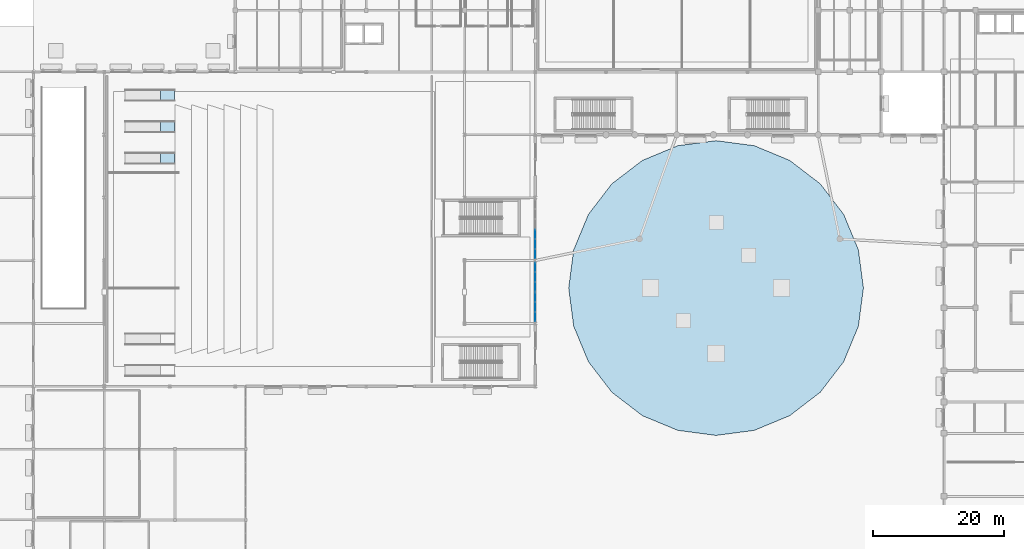
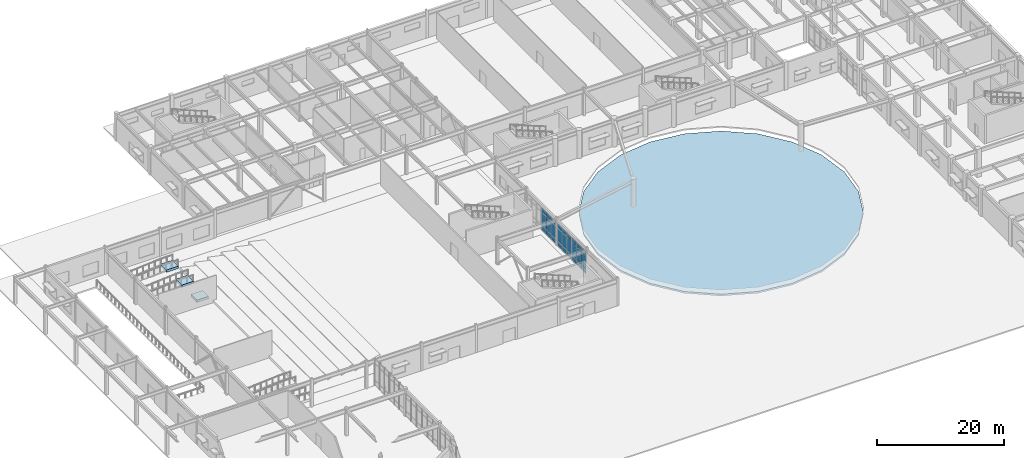
# One storey, part 24 of 54: 27 plates, 4 slabs, 3 elements without a shape of their own.
"""IFC4 building model written with IfcOpenShell, lengths in metres."""

from ifc_helpers import new_model, si_unit, direction, frame, origin, origin_2d, place, context, subcontext, project, spatial, polyline, rectangle, outline, extrude, material, layer, layer_set, type_object, element, aggregate, save


model = new_model("IFC4")

# Units and contexts
model_context = context("Model", 3, precision=1e-05, world=origin(), true_north=direction((0.0, 1.0)))
body_context = subcontext(model_context, "Body", "Model", "MODEL_VIEW")
ifc_project = project(units=[si_unit("LENGTHUNIT", "METRE"), si_unit("AREAUNIT", "SQUARE_METRE"), si_unit("VOLUMEUNIT", "CUBIC_METRE"), si_unit("PLANEANGLEUNIT", "RADIAN"), si_unit("MASSUNIT", "GRAM", prefix="KILO")], contexts=[model_context])

# Site, building, storey
site_placement = place(None, origin())
site = spatial("IfcSite", under=ifc_project, at=site_placement, CompositionType="ELEMENT")
building_placement = place(site_placement, origin())
building = spatial("IfcBuilding", under=site, at=building_placement, Name="Veldera Park Congress Hotel", CompositionType="ELEMENT")
storey_placement = place(building_placement, origin())
storey = spatial("IfcBuildingStorey", under=building, at=storey_placement, Name="L00", CompositionType="ELEMENT", Elevation=0.0)

# Curtain wall, plates
ifc_material_1 = material(Name="Low-E Triple Insulating Glass Unit (SHGC 0.22)", Category="glass")
curtain_wall_type = type_object("IfcCurtainWallType", Name="CW-POD", PredefinedType="NOTDEFINED", material=ifc_material_1)
curtain_wall_1_placement = place(storey_placement, origin())
curtain_wall_1 = element("IfcCurtainWall", 1, at=curtain_wall_1_placement, inside=storey, type_object=curtain_wall_type, Name="L00 Curtain Wall CW3-V1E-L00-001", PredefinedType="NOTDEFINED")
ifc_layer_1 = layer(ifc_material_1, 0.035888671875)
ifc_layer_set_1 = layer_set([ifc_layer_1], Name="Low-E Triple Insulating Glass Unit (SHGC 0.22)")
plate_type = type_object("IfcPlateType", Name="CWP-IGU36", PredefinedType="CURTAIN_PANEL", material=ifc_layer_set_1)
plate_1_placement = place(storey_placement, frame((-1.60009765625, -10.390380859375, 0.080078125), z_axis=(0.0, 0.0, 1.0), x_axis=(0.0, 1.0, 0.0)))
plate_1 = element("IfcPlate", 2, at=plate_1_placement, type_object=plate_type, Name="CW-POD panel 1.1", PredefinedType="CURTAIN_PANEL", context=body_context, shape_type="SweptSolid", body=[
    extrude(rectangle(XDim=1.398193359375, YDim=0.035888671875, at=origin_2d()), origin(), (0.0, 0.0, 1.0), 0.8798828125),
])
plate_2_placement = place(storey_placement, frame((-1.60009765625, -10.390380859375, 1.0400390625), z_axis=(0.0, 0.0, 1.0), x_axis=(0.0, 1.0, 0.0)))
plate_2 = element("IfcPlate", 3, at=plate_2_placement, type_object=plate_type, Name="CW-POD panel 1.2", PredefinedType="CURTAIN_PANEL", context=body_context, shape_type="SweptSolid", body=[
    extrude(rectangle(XDim=1.398193359375, YDim=0.035888671875, at=origin_2d()), origin(), (0.0, 0.0, 1.0), 2.44189453125),
])
plate_3_placement = place(storey_placement, frame((-1.60009765625, -10.390380859375, 3.56201171875), z_axis=(0.0, 0.0, 1.0), x_axis=(0.0, 1.0, 0.0)))
plate_3 = element("IfcPlate", 4, at=plate_3_placement, type_object=plate_type, Name="CW-POD panel 1.3", PredefinedType="CURTAIN_PANEL", context=body_context, shape_type="SweptSolid", body=[
    extrude(rectangle(XDim=1.398193359375, YDim=0.035888671875, at=origin_2d()), origin(), (0.0, 0.0, 1.0), 0.780029296875),
])
plate_4_placement = place(storey_placement, frame((-1.60009765625, -8.892333984375, 0.080078125), z_axis=(0.0, 0.0, 1.0), x_axis=(0.0, 1.0, 0.0)))
plate_4 = element("IfcPlate", 5, at=plate_4_placement, type_object=plate_type, Name="CW-POD panel 2.1", PredefinedType="CURTAIN_PANEL", context=body_context, shape_type="SweptSolid", body=[
    extrude(rectangle(XDim=1.438232421875, YDim=0.035888671875, at=origin_2d()), origin(), (0.0, 0.0, 1.0), 0.8798828125),
])
plate_5_placement = place(storey_placement, frame((-1.60009765625, -8.892333984375, 1.0400390625), z_axis=(0.0, 0.0, 1.0), x_axis=(0.0, 1.0, 0.0)))
plate_5 = element("IfcPlate", 6, at=plate_5_placement, type_object=plate_type, Name="CW-POD panel 2.2", PredefinedType="CURTAIN_PANEL", context=body_context, shape_type="SweptSolid", body=[
    extrude(rectangle(XDim=1.438232421875, YDim=0.035888671875, at=origin_2d()), origin(), (0.0, 0.0, 1.0), 2.44189453125),
])
plate_6_placement = place(storey_placement, frame((-1.60009765625, -8.892333984375, 3.56201171875), z_axis=(0.0, 0.0, 1.0), x_axis=(0.0, 1.0, 0.0)))
plate_6 = element("IfcPlate", 7, at=plate_6_placement, type_object=plate_type, Name="CW-POD panel 2.3", PredefinedType="CURTAIN_PANEL", context=body_context, shape_type="SweptSolid", body=[
    extrude(rectangle(XDim=1.438232421875, YDim=0.035888671875, at=origin_2d()), origin(), (0.0, 0.0, 1.0), 0.780029296875),
])
plate_7_placement = place(storey_placement, frame((-1.60009765625, -7.39404296875, 0.080078125), z_axis=(0.0, 0.0, 1.0), x_axis=(0.0, 1.0, 0.0)))
plate_7 = element("IfcPlate", 8, at=plate_7_placement, type_object=plate_type, Name="CW-POD panel 3.1", PredefinedType="CURTAIN_PANEL", context=body_context, shape_type="SweptSolid", body=[
    extrude(rectangle(XDim=1.398193359375, YDim=0.035888671875, at=origin_2d()), origin(), (0.0, 0.0, 1.0), 0.8798828125),
])
plate_8_placement = place(storey_placement, frame((-1.60009765625, -7.39404296875, 1.0400390625), z_axis=(0.0, 0.0, 1.0), x_axis=(0.0, 1.0, 0.0)))
plate_8 = element("IfcPlate", 9, at=plate_8_placement, type_object=plate_type, Name="CW-POD panel 3.2", PredefinedType="CURTAIN_PANEL", context=body_context, shape_type="SweptSolid", body=[
    extrude(rectangle(XDim=1.398193359375, YDim=0.035888671875, at=origin_2d()), origin(), (0.0, 0.0, 1.0), 2.44189453125),
])
plate_9_placement = place(storey_placement, frame((-1.60009765625, -7.39404296875, 3.56201171875), z_axis=(0.0, 0.0, 1.0), x_axis=(0.0, 1.0, 0.0)))
plate_9 = element("IfcPlate", 10, at=plate_9_placement, type_object=plate_type, Name="CW-POD panel 3.3", PredefinedType="CURTAIN_PANEL", context=body_context, shape_type="SweptSolid", body=[
    extrude(rectangle(XDim=1.398193359375, YDim=0.035888671875, at=origin_2d()), origin(), (0.0, 0.0, 1.0), 0.780029296875),
])
aggregate(curtain_wall_1, [plate_1, plate_2, plate_3, plate_4, plate_5, plate_6, plate_7, plate_8, plate_9])

curtain_wall_2_placement = place(storey_placement, origin())
curtain_wall_2 = element("IfcCurtainWall", 11, at=curtain_wall_2_placement, inside=storey, type_object=curtain_wall_type, Name="L00 Curtain Wall CW3-V1E-L00-002", PredefinedType="NOTDEFINED")
plate_10_placement = place(storey_placement, frame((-1.60009765625, -5.805908203125, 0.080078125), z_axis=(0.0, 0.0, 1.0), x_axis=(0.0, 1.0, 0.0)))
plate_10 = element("IfcPlate", 12, at=plate_10_placement, type_object=plate_type, Name="CW-POD panel 1.1", PredefinedType="CURTAIN_PANEL", context=body_context, shape_type="SweptSolid", body=[
    extrude(rectangle(XDim=1.398193359375, YDim=0.035888671875, at=origin_2d()), origin(), (0.0, 0.0, 1.0), 0.8798828125),
])
plate_11_placement = place(storey_placement, frame((-1.60009765625, -5.805908203125, 1.0400390625), z_axis=(0.0, 0.0, 1.0), x_axis=(0.0, 1.0, 0.0)))
plate_11 = element("IfcPlate", 13, at=plate_11_placement, type_object=plate_type, Name="CW-POD panel 1.2", PredefinedType="CURTAIN_PANEL", context=body_context, shape_type="SweptSolid", body=[
    extrude(rectangle(XDim=1.398193359375, YDim=0.035888671875, at=origin_2d()), origin(), (0.0, 0.0, 1.0), 2.44189453125),
])
plate_12_placement = place(storey_placement, frame((-1.60009765625, -5.805908203125, 3.56201171875), z_axis=(0.0, 0.0, 1.0), x_axis=(0.0, 1.0, 0.0)))
plate_12 = element("IfcPlate", 14, at=plate_12_placement, type_object=plate_type, Name="CW-POD panel 1.3", PredefinedType="CURTAIN_PANEL", context=body_context, shape_type="SweptSolid", body=[
    extrude(rectangle(XDim=1.398193359375, YDim=0.035888671875, at=origin_2d()), origin(), (0.0, 0.0, 1.0), 0.780029296875),
])
plate_13_placement = place(storey_placement, frame((-1.60009765625, -4.307861328125, 0.080078125), z_axis=(0.0, 0.0, 1.0), x_axis=(0.0, 1.0, 0.0)))
plate_13 = element("IfcPlate", 15, at=plate_13_placement, type_object=plate_type, Name="CW-POD panel 2.1", PredefinedType="CURTAIN_PANEL", context=body_context, shape_type="SweptSolid", body=[
    extrude(rectangle(XDim=1.438232421875, YDim=0.035888671875, at=origin_2d()), origin(), (0.0, 0.0, 1.0), 0.8798828125),
])
plate_14_placement = place(storey_placement, frame((-1.60009765625, -4.307861328125, 1.0400390625), z_axis=(0.0, 0.0, 1.0), x_axis=(0.0, 1.0, 0.0)))
plate_14 = element("IfcPlate", 16, at=plate_14_placement, type_object=plate_type, Name="CW-POD panel 2.2", PredefinedType="CURTAIN_PANEL", context=body_context, shape_type="SweptSolid", body=[
    extrude(rectangle(XDim=1.438232421875, YDim=0.035888671875, at=origin_2d()), origin(), (0.0, 0.0, 1.0), 2.44189453125),
])
plate_15_placement = place(storey_placement, frame((-1.60009765625, -4.307861328125, 3.56201171875), z_axis=(0.0, 0.0, 1.0), x_axis=(0.0, 1.0, 0.0)))
plate_15 = element("IfcPlate", 17, at=plate_15_placement, type_object=plate_type, Name="CW-POD panel 2.3", PredefinedType="CURTAIN_PANEL", context=body_context, shape_type="SweptSolid", body=[
    extrude(rectangle(XDim=1.438232421875, YDim=0.035888671875, at=origin_2d()), origin(), (0.0, 0.0, 1.0), 0.780029296875),
])
plate_16_placement = place(storey_placement, frame((-1.60009765625, -2.8095703125, 0.080078125), z_axis=(0.0, 0.0, 1.0), x_axis=(0.0, 1.0, 0.0)))
plate_16 = element("IfcPlate", 18, at=plate_16_placement, type_object=plate_type, Name="CW-POD panel 3.1", PredefinedType="CURTAIN_PANEL", context=body_context, shape_type="SweptSolid", body=[
    extrude(rectangle(XDim=1.398193359375, YDim=0.035888671875, at=origin_2d()), origin(), (0.0, 0.0, 1.0), 0.8798828125),
])
plate_17_placement = place(storey_placement, frame((-1.60009765625, -2.8095703125, 1.0400390625), z_axis=(0.0, 0.0, 1.0), x_axis=(0.0, 1.0, 0.0)))
plate_17 = element("IfcPlate", 19, at=plate_17_placement, type_object=plate_type, Name="CW-POD panel 3.2", PredefinedType="CURTAIN_PANEL", context=body_context, shape_type="SweptSolid", body=[
    extrude(rectangle(XDim=1.398193359375, YDim=0.035888671875, at=origin_2d()), origin(), (0.0, 0.0, 1.0), 2.44189453125),
])
plate_18_placement = place(storey_placement, frame((-1.60009765625, -2.8095703125, 3.56201171875), z_axis=(0.0, 0.0, 1.0), x_axis=(0.0, 1.0, 0.0)))
plate_18 = element("IfcPlate", 20, at=plate_18_placement, type_object=plate_type, Name="CW-POD panel 3.3", PredefinedType="CURTAIN_PANEL", context=body_context, shape_type="SweptSolid", body=[
    extrude(rectangle(XDim=1.398193359375, YDim=0.035888671875, at=origin_2d()), origin(), (0.0, 0.0, 1.0), 0.780029296875),
])
aggregate(curtain_wall_2, [plate_10, plate_11, plate_12, plate_13, plate_14, plate_15, plate_16, plate_17, plate_18])

curtain_wall_3_placement = place(storey_placement, origin())
curtain_wall_3 = element("IfcCurtainWall", 21, at=curtain_wall_3_placement, inside=storey, type_object=curtain_wall_type, Name="L00 Curtain Wall CW3-V1E-L00-003", PredefinedType="NOTDEFINED")
plate_19_placement = place(storey_placement, frame((-1.60009765625, -0.79052734375, 0.080078125), z_axis=(0.0, 0.0, 1.0), x_axis=(0.0, 1.0, 0.0)))
plate_19 = element("IfcPlate", 22, at=plate_19_placement, type_object=plate_type, Name="CW-POD panel 1.1", PredefinedType="CURTAIN_PANEL", context=body_context, shape_type="SweptSolid", body=[
    extrude(rectangle(XDim=1.398193359375, YDim=0.035888671875, at=origin_2d()), origin(), (0.0, 0.0, 1.0), 0.8798828125),
])
plate_20_placement = place(storey_placement, frame((-1.60009765625, -0.79052734375, 1.0400390625), z_axis=(0.0, 0.0, 1.0), x_axis=(0.0, 1.0, 0.0)))
plate_20 = element("IfcPlate", 23, at=plate_20_placement, type_object=plate_type, Name="CW-POD panel 1.2", PredefinedType="CURTAIN_PANEL", context=body_context, shape_type="SweptSolid", body=[
    extrude(rectangle(XDim=1.398193359375, YDim=0.035888671875, at=origin_2d()), origin(), (0.0, 0.0, 1.0), 2.44189453125),
])
plate_21_placement = place(storey_placement, frame((-1.60009765625, -0.79052734375, 3.56201171875), z_axis=(0.0, 0.0, 1.0), x_axis=(0.0, 1.0, 0.0)))
plate_21 = element("IfcPlate", 24, at=plate_21_placement, type_object=plate_type, Name="CW-POD panel 1.3", PredefinedType="CURTAIN_PANEL", context=body_context, shape_type="SweptSolid", body=[
    extrude(rectangle(XDim=1.398193359375, YDim=0.035888671875, at=origin_2d()), origin(), (0.0, 0.0, 1.0), 0.780029296875),
])
plate_22_placement = place(storey_placement, frame((-1.60009765625, 0.707763671875, 0.080078125), z_axis=(0.0, 0.0, 1.0), x_axis=(0.0, 1.0, 0.0)))
plate_22 = element("IfcPlate", 25, at=plate_22_placement, type_object=plate_type, Name="CW-POD panel 2.1", PredefinedType="CURTAIN_PANEL", context=body_context, shape_type="SweptSolid", body=[
    extrude(rectangle(XDim=1.438232421875, YDim=0.035888671875, at=origin_2d()), origin(), (0.0, 0.0, 1.0), 0.8798828125),
])
plate_23_placement = place(storey_placement, frame((-1.60009765625, 0.707763671875, 1.0400390625), z_axis=(0.0, 0.0, 1.0), x_axis=(0.0, 1.0, 0.0)))
plate_23 = element("IfcPlate", 26, at=plate_23_placement, type_object=plate_type, Name="CW-POD panel 2.2", PredefinedType="CURTAIN_PANEL", context=body_context, shape_type="SweptSolid", body=[
    extrude(rectangle(XDim=1.438232421875, YDim=0.035888671875, at=origin_2d()), origin(), (0.0, 0.0, 1.0), 2.44189453125),
])
plate_24_placement = place(storey_placement, frame((-1.60009765625, 0.707763671875, 3.56201171875), z_axis=(0.0, 0.0, 1.0), x_axis=(0.0, 1.0, 0.0)))
plate_24 = element("IfcPlate", 27, at=plate_24_placement, type_object=plate_type, Name="CW-POD panel 2.3", PredefinedType="CURTAIN_PANEL", context=body_context, shape_type="SweptSolid", body=[
    extrude(rectangle(XDim=1.438232421875, YDim=0.035888671875, at=origin_2d()), origin(), (0.0, 0.0, 1.0), 0.780029296875),
])
plate_25_placement = place(storey_placement, frame((-1.60009765625, 2.205810546875, 0.080078125), z_axis=(0.0, 0.0, 1.0), x_axis=(0.0, 1.0, 0.0)))
plate_25 = element("IfcPlate", 28, at=plate_25_placement, type_object=plate_type, Name="CW-POD panel 3.1", PredefinedType="CURTAIN_PANEL", context=body_context, shape_type="SweptSolid", body=[
    extrude(rectangle(XDim=1.398193359375, YDim=0.035888671875, at=origin_2d()), origin(), (0.0, 0.0, 1.0), 0.8798828125),
])
plate_26_placement = place(storey_placement, frame((-1.60009765625, 2.205810546875, 1.0400390625), z_axis=(0.0, 0.0, 1.0), x_axis=(0.0, 1.0, 0.0)))
plate_26 = element("IfcPlate", 29, at=plate_26_placement, type_object=plate_type, Name="CW-POD panel 3.2", PredefinedType="CURTAIN_PANEL", context=body_context, shape_type="SweptSolid", body=[
    extrude(rectangle(XDim=1.398193359375, YDim=0.035888671875, at=origin_2d()), origin(), (0.0, 0.0, 1.0), 2.44189453125),
])
plate_27_placement = place(storey_placement, frame((-1.60009765625, 2.205810546875, 3.56201171875), z_axis=(0.0, 0.0, 1.0), x_axis=(0.0, 1.0, 0.0)))
plate_27 = element("IfcPlate", 30, at=plate_27_placement, type_object=plate_type, Name="CW-POD panel 3.3", PredefinedType="CURTAIN_PANEL", context=body_context, shape_type="SweptSolid", body=[
    extrude(rectangle(XDim=1.398193359375, YDim=0.035888671875, at=origin_2d()), origin(), (0.0, 0.0, 1.0), 0.780029296875),
])
aggregate(curtain_wall_3, [plate_19, plate_20, plate_21, plate_22, plate_23, plate_24, plate_25, plate_26, plate_27])

# Slabs
ifc_material_2 = material(Name="Concrete f'c 40 MPa (5,800 psi)", Category="concrete")
ifc_layer_2 = layer(ifc_material_2, 0.340087890625)
ifc_layer_set_2 = layer_set([ifc_layer_2], Name="Concrete f'c 40 MPa (5,800 psi)")
slab_type_1 = type_object("IfcSlabType", Name="SLB-POOL340", PredefinedType="BASESLAB", material=ifc_layer_set_2)
slab_1_placement = place(storey_placement, frame((0.0, 0.0, -1.239990234375)))
element("IfcSlab", 31, at=slab_1_placement, inside=storey, type_object=slab_type_1, Name="Reflecting Pool Structural Basin Slab", PredefinedType="BASESLAB", context=body_context, shape_type="SweptSolid", body=[
    extrude(outline(polyline([(48.5, -6.0), (47.7333984375, -0.176513671875), (45.485595703125, 5.25), (41.909912109375, 9.909912109375), (37.25, 13.485595703125), (31.823486328125, 15.7333984375), (26.0, 16.5), (20.176513671875, 15.7333984375), (14.75, 13.485595703125), (10.090087890625, 9.909912109375), (6.514404296875, 5.25), (4.2666015625, -0.176513671875), (3.5, -6.0), (4.2666015625, -11.823486328125), (6.514404296875, -17.25), (10.090087890625, -21.909912109375), (14.75, -25.485595703125), (20.176513671875, -27.7333984375), (26.0, -28.5), (31.823486328125, -27.7333984375), (37.25, -25.485595703125), (41.909912109375, -21.909912109375), (45.485595703125, -17.25), (47.7333984375, -11.823486328125), (48.5, -6.0)])), origin(), (0.0, 0.0, 1.0), 0.340087890625),
])
ifc_layer_3 = layer(ifc_material_2, 0.449951171875)
ifc_layer_set_3 = layer_set([ifc_layer_3], Name="Concrete f'c 40 MPa (5,800 psi)")
slab_type_2 = type_object("IfcSlabType", Name="SLB-RLND450", PredefinedType="FLOOR", material=ifc_layer_set_3)
slab_2_placement = place(storey_placement, origin())
element("IfcSlab", 32, at=slab_2_placement, inside=storey, type_object=slab_type_2, Name="Accessible Ramp 3 Top Landing Platform", PredefinedType="FLOOR", context=body_context, shape_type="SweptSolid", body=[
    extrude(outline(polyline([(-58.800048828125, 12.85009765625), (-56.64990234375, 12.85009765625), (-56.64990234375, 14.75), (-58.800048828125, 14.75), (-58.800048828125, 12.85009765625)])), origin(), (0.0, 0.0, 1.0), 0.449951171875),
])
slab_3_placement = place(storey_placement, origin())
element("IfcSlab", 33, at=slab_3_placement, inside=storey, type_object=slab_type_2, Name="Accessible Ramp 4 Top Landing Platform", PredefinedType="FLOOR", context=body_context, shape_type="SweptSolid", body=[
    extrude(outline(polyline([(-58.800048828125, 17.64990234375), (-56.64990234375, 17.64990234375), (-56.64990234375, 19.550048828125), (-58.800048828125, 19.550048828125), (-58.800048828125, 17.64990234375)])), origin(), (0.0, 0.0, 1.0), 0.449951171875),
])
slab_4_placement = place(storey_placement, origin())
element("IfcSlab", 34, at=slab_4_placement, inside=storey, type_object=slab_type_2, Name="Accessible Ramp 5 Top Landing Platform", PredefinedType="FLOOR", context=body_context, shape_type="SweptSolid", body=[
    extrude(outline(polyline([(-58.800048828125, 22.449951171875), (-56.64990234375, 22.449951171875), (-56.64990234375, 24.35009765625), (-58.800048828125, 24.35009765625), (-58.800048828125, 22.449951171875)])), origin(), (0.0, 0.0, 1.0), 0.449951171875),
])

save(model, "model.ifc")
